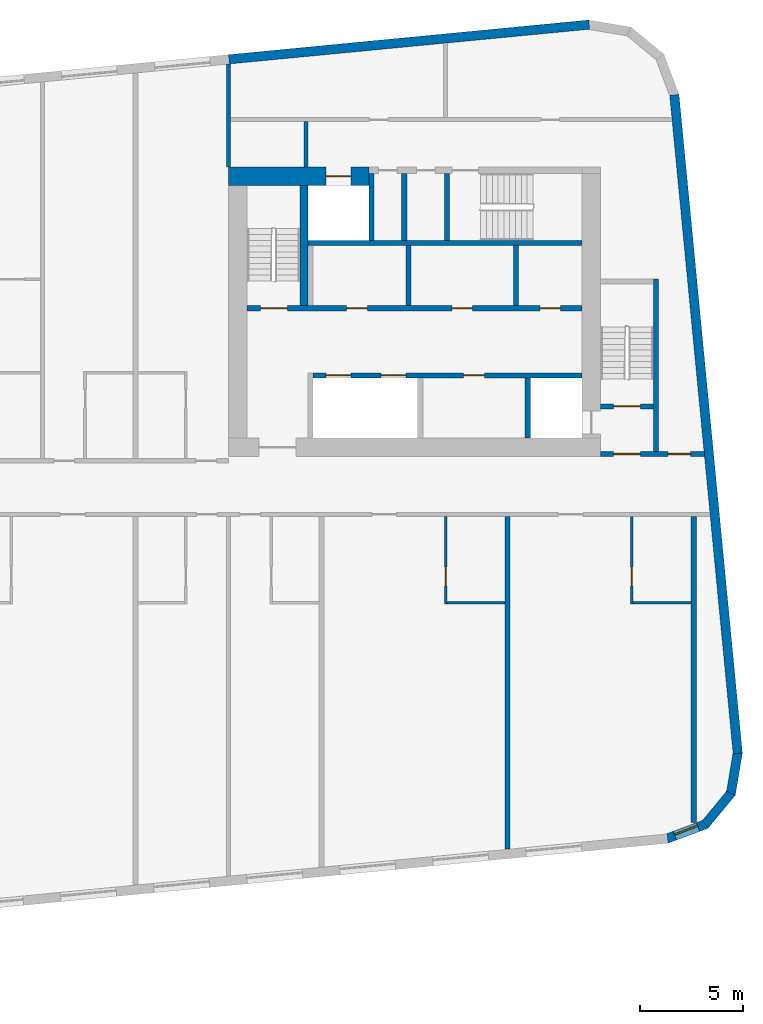
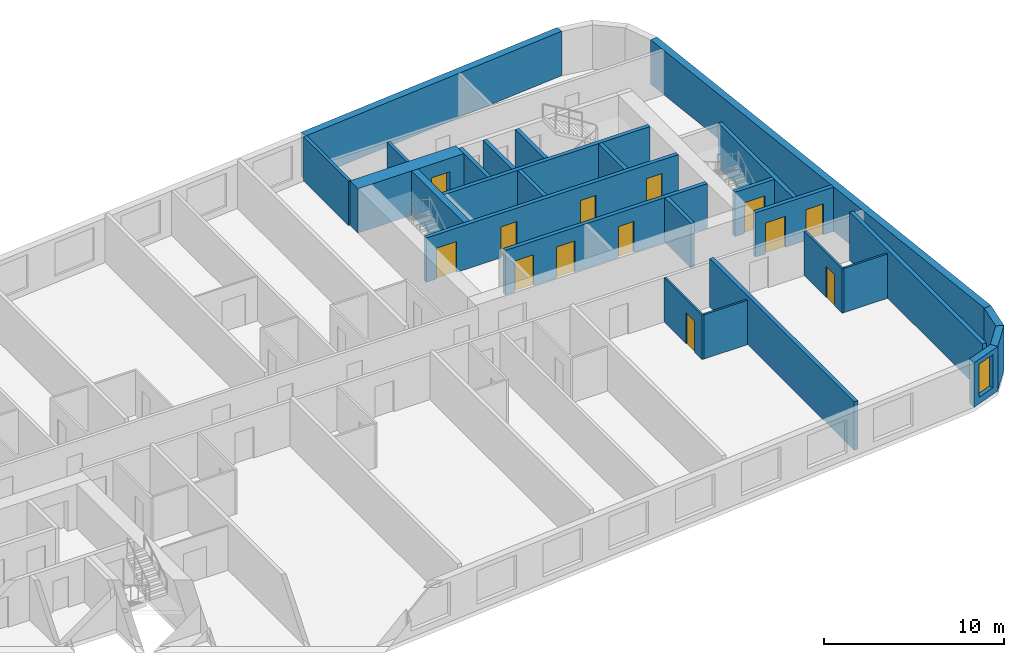
# One storey, part 6 of 11: 27 walls, 13 doors, 1 window, 14 openings.
"""IFC4 building model written with IfcOpenShell, lengths in metres."""

from ifc_helpers import new_model, si_unit, direction, frame, frame_2d, origin, place, context, subcontext, project, spatial, polyline, rectangle, outline, extrude, material, layer, layer_set, type_object, element, fill, save


model = new_model("IFC4")

# Units and contexts
model_context = context("Model", 3, precision=1e-05, world=origin(), true_north=direction((0.0, 1.0)))
body_context = subcontext(model_context, "Body", "Model", "MODEL_VIEW")
ifc_project = project(units=[si_unit("LENGTHUNIT", "METRE"), si_unit("AREAUNIT", "SQUARE_METRE"), si_unit("VOLUMEUNIT", "CUBIC_METRE"), si_unit("PLANEANGLEUNIT", "RADIAN"), si_unit("MASSUNIT", "GRAM", prefix="KILO")], contexts=[model_context])

# Site, building, storey
site_placement = place(None, origin())
site = spatial("IfcSite", under=ifc_project, at=site_placement, CompositionType="ELEMENT")
building_placement = place(site_placement, origin())
building = spatial("IfcBuilding", under=site, at=building_placement, Name="Kajstack Hotel Tower", CompositionType="ELEMENT")
storey_placement = place(building_placement, frame((0.0, 0.0, 291.60009765625)))
storey = spatial("IfcBuildingStorey", under=building, at=storey_placement, Name="L73", CompositionType="ELEMENT", Elevation=291.60009765625)

# Wall, opening, door
ifc_material_1 = material(Name="Concrete C60/75", Category="concrete")
ifc_layer_1 = layer(ifc_material_1, 0.89990234375)
ifc_layer_set_1 = layer_set([ifc_layer_1], Name="Core wall 900")
wall_type_1 = type_object("IfcWallType", Name="Core wall 900", PredefinedType="SHEAR", material=ifc_layer_set_1)
wall_1_placement = place(storey_placement, frame((13.5, 15.050048828125, 0.0), z_axis=(0.0, 0.0, 1.0), x_axis=(1.0, 0.0, 0.0)))
wall_1 = element("IfcWall", 1, at=wall_1_placement, inside=storey, type_object=wall_type_1, Name="Core wall E RS", PredefinedType="SHEAR", context=body_context, shape_type="SweptSolid", body=[
    extrude(rectangle(XDim=6.800048828125, YDim=0.89990234375, at=frame_2d((3.39990234375, 0.0))), origin(), (0.0, 0.0, 1.0), 3.02001953125),
])
opening_1_placement = place(wall_1_placement, frame((4.72509765625, 0.0, 0.0)))
opening_1 = element("IfcOpeningElement", 2, at=opening_1_placement, cuts=wall_1, Name="Opening LD-SV2", PredefinedType="OPENING", context=body_context, shape_type="SweptSolid", body=[
    extrude(rectangle(XDim=1.199951171875, YDim=2.10009765625, at=frame_2d((0.60009765625, 1.050048828125))), frame((0.0, 0.4599609375, 0.0), z_axis=(0.0, -1.0, 0.0), x_axis=(1.0, 0.0, 0.0)), (0.0, 0.0, 1.0), 0.919921875),
])
ifc_material_2 = material(Name="Stainless steel", Category="steel")
door_type_1 = type_object("IfcDoorType", Name="Lift landing door 1200", OperationType="SLIDING_TO_LEFT", PredefinedType="DOOR", material=ifc_material_2)
door_1_placement = place(opening_1_placement, origin())
door_1 = element("IfcDoor", 3, at=door_1_placement, inside=storey, type_object=door_type_1, Name="Landing door SV2", OperationType="SLIDING_TO_LEFT", OverallHeight=2.10009765625, OverallWidth=1.199951171875, PredefinedType="DOOR", context=body_context, shape_type="SweptSolid", body=[
    extrude(rectangle(XDim=1.199951171875, YDim=2.10009765625, at=frame_2d((0.60009765625, 1.050048828125))), frame((0.0, 0.02490234375, 0.0), z_axis=(0.0, -1.0, 0.0), x_axis=(1.0, 0.0, 0.0)), (0.0, 0.0, 1.0), 0.050048828125),
])
fill(opening_1, door_1)

# Walls
ifc_material_3 = material(Name="Twin-frame gypsum board on steel studs, mineral wool", Category="steel")
ifc_layer_2 = layer(ifc_material_3, 0.199951171875)
ifc_layer_set_2 = layer_set([ifc_layer_2], Name="Demising wall 200")
wall_type_2 = type_object("IfcWallType", Name="Demising wall 200", PredefinedType="PARTITIONING", material=ifc_layer_set_2)
wall_2_placement = place(storey_placement, frame((13.5, 15.5, 0.0), z_axis=(0.0, 0.0, 1.0), x_axis=(0.0, 1.0, 0.0)))
element("IfcWall", 4, at=wall_2_placement, inside=storey, type_object=wall_type_2, Name="G-wall-L73-001", PredefinedType="PARTITIONING", context=body_context, shape_type="SweptSolid", body=[
    extrude(rectangle(XDim=4.985107421875, YDim=0.199951171875, at=frame_2d((2.49267578125, 0.0))), origin(), (0.0, 0.0, 1.0), 3.02001953125),
])
ifc_material_4 = material(Name="Concrete C40/50", Category="concrete")
ifc_layer_3 = layer(ifc_material_4, 0.449951171875)
ifc_layer_set_3 = layer_set([ifc_layer_3], Name="EW-CORE")
wall_type_3 = type_object("IfcWallType", Name="EW-CORE", PredefinedType="SOLIDWALL", material=ifc_layer_set_3)
wall_3_placement = place(storey_placement, frame((30.94580078125, 22.390625, 0.0), z_axis=(0.0, 0.0, 1.0), x_axis=(-0.995396397117, -0.095843688398, 0.0)))
element("IfcWall", 5, at=wall_3_placement, inside=storey, type_object=wall_type_3, Name="E-wall-L73-12-00", PredefinedType="SOLIDWALL", context=body_context, shape_type="SweptSolid", body=[
    extrude(rectangle(XDim=17.5048828125, YDim=0.449951171875, at=frame_2d((8.75244140625, 0.0))), origin(), (0.0, 0.0, 1.0), 3.02001953125),
])

# Wall, opening, window
ifc_material_5 = material(Name="Terracotta-faced brick masonry", Category="masonry")
ifc_layer_4 = layer(ifc_material_5, 0.449951171875)
ifc_layer_set_4 = layer_set([ifc_layer_4], Name="EW-TERRA")
wall_type_4 = type_object("IfcWallType", Name="EW-TERRA", PredefinedType="SOLIDWALL", material=ifc_layer_set_4)
wall_4_placement = place(storey_placement, frame((34.67919921875, -16.990478515625, 0.0), z_axis=(0.0, 0.0, 1.0), x_axis=(0.936677599948, 0.350192909346, 0.0)))
wall_4 = element("IfcWall", 6, at=wall_4_placement, inside=storey, type_object=wall_type_4, Name="E-wall-L73-05-00", PredefinedType="SOLIDWALL", context=body_context, shape_type="SweptSolid", body=[
    extrude(outline(polyline([(0.0, -0.22509765625), (2.070556640625, -0.22509765625), (1.949951171875, 0.22509765625), (0.12060546875, 0.22509765625), (0.0, -0.22509765625)])), origin(), (0.0, 0.0, 1.0), 3.02001953125),
])
opening_2_placement = place(wall_4_placement, frame((0.435302734375, 0.0, 0.449951171875)))
opening_2 = element("IfcOpeningElement", 7, at=opening_2_placement, cuts=wall_4, Name="Opening W3", PredefinedType="OPENING", context=body_context, shape_type="SweptSolid", body=[
    extrude(rectangle(XDim=1.199951171875, YDim=2.25, at=frame_2d((0.60009765625, 1.125))), frame((0.0, 0.23486328125, 0.0), z_axis=(0.0, -1.0, 0.0), x_axis=(1.0, 0.0, 0.0)), (0.0, 0.0, 1.0), 0.469970703125),
])
ifc_material_6 = material(Name="Timber-aluminium window, triple glazed", Category="wood")
window_type = type_object("IfcWindowType", Name="WG3", PartitioningType="SINGLE_PANEL", PredefinedType="WINDOW", material=ifc_material_6)
window_placement = place(opening_2_placement, origin())
window = element("IfcWindow", 8, at=window_placement, inside=storey, type_object=window_type, Name="Window W3 L73-05", OverallHeight=2.25, OverallWidth=1.199951171875, PartitioningType="SINGLE_PANEL", PredefinedType="WINDOW", context=body_context, shape_type="SweptSolid", body=[
    extrude(rectangle(XDim=1.199951171875, YDim=2.25, at=frame_2d((0.60009765625, 1.125))), frame((0.0, 0.090087890625, 0.0), z_axis=(0.0, -1.0, 0.0), x_axis=(1.0, 0.0, 0.0)), (0.0, 0.0, 1.0), 0.06005859375),
])
fill(opening_2, window)

# Walls
wall_5_placement = place(storey_placement, frame((36.52392578125, -16.3330078125, 0.0), z_axis=(0.0, 0.0, 1.0), x_axis=(0.636046112757, 0.771651049663, 0.0)))
element("IfcWall", 9, at=wall_5_placement, inside=storey, type_object=wall_type_4, Name="E-wall-L73-06-00", PredefinedType="SOLIDWALL", context=body_context, shape_type="SweptSolid", body=[
    extrude(outline(polyline([(0.0, -0.224853515625), (2.070556640625, -0.22509765625), (1.949951171875, 0.22509765625), (0.12060546875, 0.22509765625), (0.0, -0.224853515625)])), origin(), (0.0, 0.0, 1.0), 3.02001953125),
])
wall_6_placement = place(storey_placement, frame((37.79248046875, -14.84130859375, 0.0), z_axis=(0.0, 0.0, 1.0), x_axis=(0.165068144653, 0.986282164302, 0.0)))
element("IfcWall", 10, at=wall_6_placement, inside=storey, type_object=wall_type_4, Name="E-wall-L73-07-00", PredefinedType="SOLIDWALL", context=body_context, shape_type="SweptSolid", body=[
    extrude(outline(polyline([(0.0, -0.22509765625), (2.070556640625, -0.22509765625), (1.949951171875, 0.224853515625), (0.12060546875, 0.224853515625), (0.0, -0.22509765625)])), origin(), (0.0, 0.0, 1.0), 3.02001953125),
])
wall_7_placement = place(storey_placement, frame((38.13232421875, -12.85791015625, 0.0), z_axis=(0.0, 0.0, 1.0), x_axis=(-0.095847749461, 0.995396006082, 0.0)))
element("IfcWall", 11, at=wall_7_placement, inside=storey, type_object=wall_type_4, Name="E-wall-L73-08-00", PredefinedType="SOLIDWALL", context=body_context, shape_type="SweptSolid", body=[
    extrude(rectangle(XDim=32.0, YDim=0.449951171875, at=frame_2d((16.0, 0.0))), origin(), (0.0, 0.0, 1.0), 3.02001953125),
])

# Wall, opening, door
ifc_material_7 = material(Name="Gypsum board and tiled backer on steel studs", Category="steel")
ifc_layer_5 = layer(ifc_material_7, 0.125)
ifc_layer_set_5 = layer_set([ifc_layer_5], Name="En-suite wall 125")
wall_type_5 = type_object("IfcWallType", Name="En-suite wall 125", PredefinedType="PARTITIONING", material=ifc_layer_set_5)
wall_8_placement = place(storey_placement, frame((24.011962890625, -5.625, 0.0), z_axis=(0.0, 0.0, 1.0), x_axis=(0.0, 1.0, 0.0)))
wall_8 = element("IfcWall", 12, at=wall_8_placement, inside=storey, type_object=wall_type_5, Name="G-wall-L73-041", PredefinedType="PARTITIONING", context=body_context, shape_type="SweptSolid", body=[
    extrude(rectangle(XDim=4.22509765625, YDim=0.125, at=frame_2d((2.112548828125, 0.0))), origin(), (0.0, 0.0, 1.0), 3.02001953125),
])
opening_3_placement = place(wall_8_placement, frame((0.875, 0.0, 0.0)))
opening_3 = element("IfcOpeningElement", 13, at=opening_3_placement, cuts=wall_8, Name="Opening 73034", PredefinedType="OPENING", context=body_context, shape_type="SweptSolid", body=[
    extrude(rectangle(XDim=0.89990234375, YDim=2.10009765625, at=frame_2d((0.449951171875, 1.050048828125))), frame((0.0, 0.072509765625, 0.0), z_axis=(0.0, -1.0, 0.0), x_axis=(1.0, 0.0, 0.0)), (0.0, 0.0, 1.0), 0.14501953125),
])
ifc_material_8 = material(Name="Painted timber door leaf", Category="wood")
door_type_2 = type_object("IfcDoorType", Name="Room door 900", OperationType="SINGLE_SWING_LEFT", PredefinedType="DOOR", material=ifc_material_8)
door_2_placement = place(opening_3_placement, origin())
door_2 = element("IfcDoor", 14, at=door_2_placement, inside=storey, type_object=door_type_2, Name="G-door-L73-34", OperationType="SINGLE_SWING_LEFT", OverallHeight=2.10009765625, OverallWidth=0.89990234375, PredefinedType="DOOR", context=body_context, shape_type="SweptSolid", body=[
    extrude(rectangle(XDim=0.89990234375, YDim=2.10009765625, at=frame_2d((0.449951171875, 1.050048828125))), frame((0.0, 0.02490234375, 0.0), z_axis=(0.0, -1.0, 0.0), x_axis=(1.0, 0.0, 0.0)), (0.0, 0.0, 1.0), 0.050048828125),
])
fill(opening_3, door_2)

# Wall
wall_9_placement = place(storey_placement, frame((24.074951171875, -5.56201171875, 0.0), z_axis=(0.0, 0.0, 1.0), x_axis=(1.0, 0.0, 0.0)))
element("IfcWall", 15, at=wall_9_placement, inside=storey, type_object=wall_type_5, Name="G-wall-L73-042", PredefinedType="PARTITIONING", context=body_context, shape_type="SweptSolid", body=[
    extrude(rectangle(XDim=2.800048828125, YDim=0.125, at=frame_2d((1.39990234375, 0.0))), origin(), (0.0, 0.0, 1.0), 3.02001953125),
])

# Wall, opening, door
wall_10_placement = place(storey_placement, frame((33.012939453125, -5.625, 0.0), z_axis=(0.0, 0.0, 1.0), x_axis=(0.0, 1.0, 0.0)))
wall_10 = element("IfcWall", 16, at=wall_10_placement, inside=storey, type_object=wall_type_5, Name="G-wall-L73-043", PredefinedType="PARTITIONING", context=body_context, shape_type="SweptSolid", body=[
    extrude(rectangle(XDim=4.22509765625, YDim=0.125, at=frame_2d((2.112548828125, 0.0))), origin(), (0.0, 0.0, 1.0), 3.02001953125),
])
opening_4_placement = place(wall_10_placement, frame((0.875, 0.0, 0.0)))
opening_4 = element("IfcOpeningElement", 17, at=opening_4_placement, cuts=wall_10, Name="Opening 73036", PredefinedType="OPENING", context=body_context, shape_type="SweptSolid", body=[
    extrude(rectangle(XDim=0.89990234375, YDim=2.10009765625, at=frame_2d((0.449951171875, 1.050048828125))), frame((0.0, 0.072509765625, 0.0), z_axis=(0.0, -1.0, 0.0), x_axis=(1.0, 0.0, 0.0)), (0.0, 0.0, 1.0), 0.14501953125),
])
door_3_placement = place(opening_4_placement, origin())
door_3 = element("IfcDoor", 18, at=door_3_placement, inside=storey, type_object=door_type_2, Name="G-door-L73-36", OperationType="SINGLE_SWING_LEFT", OverallHeight=2.10009765625, OverallWidth=0.89990234375, PredefinedType="DOOR", context=body_context, shape_type="SweptSolid", body=[
    extrude(rectangle(XDim=0.89990234375, YDim=2.10009765625, at=frame_2d((0.449951171875, 1.050048828125))), frame((0.0, 0.02490234375, 0.0), z_axis=(0.0, -1.0, 0.0), x_axis=(1.0, 0.0, 0.0)), (0.0, 0.0, 1.0), 0.050048828125),
])
fill(opening_4, door_3)

# Walls
wall_11_placement = place(storey_placement, frame((33.074951171875, -5.56201171875, 0.0), z_axis=(0.0, 0.0, 1.0), x_axis=(1.0, 0.0, 0.0)))
element("IfcWall", 19, at=wall_11_placement, inside=storey, type_object=wall_type_5, Name="G-wall-L73-044", PredefinedType="PARTITIONING", context=body_context, shape_type="SweptSolid", body=[
    extrude(rectangle(XDim=2.800048828125, YDim=0.125, at=frame_2d((1.39990234375, 0.0))), origin(), (0.0, 0.0, 1.0), 3.02001953125),
])
ifc_layer_6 = layer(ifc_material_4, 0.25)
ifc_layer_set_6 = layer_set([ifc_layer_6], Name="RC cross wall 250 C40/50")
wall_type_6 = type_object("IfcWallType", Name="RC cross wall 250 C40/50", PredefinedType="SHEAR", material=ifc_layer_set_6)
wall_12_placement = place(storey_placement, frame((27.0, -17.47412109375, 0.0), z_axis=(0.0, 0.0, 1.0), x_axis=(0.0, 1.0, 0.0)))
element("IfcWall", 20, at=wall_12_placement, inside=storey, type_object=wall_type_6, Name="S-wall-L73-11", PredefinedType="SHEAR", context=body_context, shape_type="SweptSolid", body=[
    extrude(rectangle(XDim=16.07421875, YDim=0.25, at=frame_2d((8.037109375, 0.0))), origin(), (0.0, 0.0, 1.0), 3.2998046875),
])
wall_13_placement = place(storey_placement, frame((36.0, -16.198974609375, 0.0), z_axis=(0.0, 0.0, 1.0), x_axis=(0.0, 1.0, 0.0)))
element("IfcWall", 21, at=wall_13_placement, inside=storey, type_object=wall_type_6, Name="S-wall-L73-12", PredefinedType="SHEAR", context=body_context, shape_type="SweptSolid", body=[
    extrude(rectangle(XDim=14.799072265625, YDim=0.25, at=frame_2d((7.3994140625, 0.0))), origin(), (0.0, 0.0, 1.0), 3.2998046875),
])
ifc_material_9 = material(Name="Concrete block masonry", Category="masonry")
ifc_layer_7 = layer(ifc_material_9, 0.25)
ifc_layer_set_7 = layer_set([ifc_layer_7], Name="Riser partition 250")
wall_type_7 = type_object("IfcWallType", Name="Riser partition 250", PredefinedType="PARTITIONING", material=ifc_layer_set_7)
for number, where, z_axis, x_axis, name in (
    (22, (27.39990234375, 8.800048828125, 0.0), (0.0, 0.0, 1.0), (0.0, 1.0, 0.0), "Partition E BF0"),
    (23, (22.199951171875, 8.800048828125, 0.0), (0.0, 0.0, 1.0), (0.0, 1.0, 0.0), "Partition E BF1"),
):
    element("IfcWall", number, at=place(storey_placement, frame(where, z_axis=z_axis, x_axis=x_axis)), inside=storey, type_object=wall_type_7, Name=name, PredefinedType="PARTITIONING", context=body_context, shape_type="SweptSolid", body=[
        extrude(rectangle(XDim=2.89990234375, YDim=0.25, at=frame_2d((1.449951171875, 0.0))), origin(), (0.0, 0.0, 1.0), 3.02001953125),
    ])
wall_14_placement = place(storey_placement, frame((22.0, 11.949951171875, 0.0), z_axis=(0.0, 0.0, 1.0), x_axis=(0.0, 1.0, 0.0)))
element("IfcWall", 24, at=wall_14_placement, inside=storey, type_object=wall_type_7, Name="Partition E SZ0", PredefinedType="PARTITIONING", context=body_context, shape_type="SweptSolid", body=[
    extrude(rectangle(XDim=3.25, YDim=0.25, at=frame_2d((1.625, 0.0))), origin(), (0.0, 0.0, 1.0), 3.02001953125),
])

# Wall, openings, doors
ifc_material_10 = material(Name="Gypsum board on steel studs, mineral wool", Category="steel")
ifc_layer_8 = layer(ifc_material_10, 0.199951171875)
ifc_layer_set_8 = layer_set([ifc_layer_8], Name="Service partition 200")
wall_type_8 = type_object("IfcWallType", Name="Service partition 200", PredefinedType="PARTITIONING", material=ifc_layer_set_8)
wall_15_placement = place(storey_placement, frame((31.5, 1.625, 0.0), z_axis=(0.0, 0.0, 1.0), x_axis=(1.0, 0.0, 0.0)))
wall_15 = element("IfcWall", 25, at=wall_15_placement, inside=storey, type_object=wall_type_8, Name="Partition E SN", PredefinedType="PARTITIONING", context=body_context, shape_type="SweptSolid", body=[
    extrude(rectangle(XDim=5.01171875, YDim=0.25, at=frame_2d((2.505859375, 0.0))), origin(), (0.0, 0.0, 1.0), 3.02001953125),
])
opening_5_placement = place(wall_15_placement, frame((0.625, 0.0, 0.0)))
opening_5 = element("IfcOpeningElement", 26, at=opening_5_placement, cuts=wall_15, Name="Opening 73E06", PredefinedType="OPENING", context=body_context, shape_type="SweptSolid", body=[
    extrude(rectangle(XDim=1.300048828125, YDim=2.10009765625, at=frame_2d((0.64990234375, 1.050048828125))), frame((0.0, 0.135009765625, 0.0), z_axis=(0.0, -1.0, 0.0), x_axis=(1.0, 0.0, 0.0)), (0.0, 0.0, 1.0), 0.27001953125),
])
opening_6_placement = place(wall_15_placement, frame((3.25, 0.0, 0.0)))
opening_6 = element("IfcOpeningElement", 27, at=opening_6_placement, cuts=wall_15, Name="Opening 73E08", PredefinedType="OPENING", context=body_context, shape_type="SweptSolid", body=[
    extrude(rectangle(XDim=1.10009765625, YDim=2.10009765625, at=frame_2d((0.550048828125, 1.050048828125))), frame((0.0, 0.135009765625, 0.0), z_axis=(0.0, -1.0, 0.0), x_axis=(1.0, 0.0, 0.0)), (0.0, 0.0, 1.0), 0.27001953125),
])
ifc_material_11 = material(Name="Steel leaf, fire-rated", Category="steel")
door_type_3 = type_object("IfcDoorType", Name="Fire lobby door 1300", OperationType="SINGLE_SWING_LEFT", PredefinedType="DOOR", material=ifc_material_11)
door_4_placement = place(opening_5_placement, origin())
door_4 = element("IfcDoor", 28, at=door_4_placement, inside=storey, type_object=door_type_3, Name="Door 73E06", OperationType="SINGLE_SWING_LEFT", OverallHeight=2.10009765625, OverallWidth=1.300048828125, PredefinedType="DOOR", context=body_context, shape_type="SweptSolid", body=[
    extrude(rectangle(XDim=1.300048828125, YDim=2.10009765625, at=frame_2d((0.64990234375, 1.050048828125))), frame((0.0, 0.02490234375, 0.0), z_axis=(0.0, -1.0, 0.0), x_axis=(1.0, 0.0, 0.0)), (0.0, 0.0, 1.0), 0.050048828125),
])
fill(opening_5, door_4)
ifc_material_12 = material(Name="Timber leaf, fire-rated", Category="wood")
door_type_4 = type_object("IfcDoorType", Name="Service corridor door 1100", OperationType="SINGLE_SWING_LEFT", PredefinedType="DOOR", material=ifc_material_12)
door_5_placement = place(opening_6_placement, origin())
door_5 = element("IfcDoor", 29, at=door_5_placement, inside=storey, type_object=door_type_4, Name="Door 73E08", OperationType="SINGLE_SWING_LEFT", OverallHeight=2.10009765625, OverallWidth=1.10009765625, PredefinedType="DOOR", context=body_context, shape_type="SweptSolid", body=[
    extrude(rectangle(XDim=1.10009765625, YDim=2.10009765625, at=frame_2d((0.550048828125, 1.050048828125))), frame((0.0, 0.02490234375, 0.0), z_axis=(0.0, -1.0, 0.0), x_axis=(1.0, 0.0, 0.0)), (0.0, 0.0, 1.0), 0.050048828125),
])
fill(opening_6, door_5)

# Wall
wall_16_placement = place(storey_placement, frame((17.25, 15.5, 0.0), z_axis=(0.0, 0.0, 1.0), x_axis=(0.0, 1.0, 0.0)))
element("IfcWall", 30, at=wall_16_placement, inside=storey, type_object=wall_type_8, Name="Partition E SCE", PredefinedType="PARTITIONING", context=body_context, shape_type="SweptSolid", body=[
    extrude(rectangle(XDim=2.199951171875, YDim=0.199951171875, at=frame_2d((1.10009765625, 0.0))), origin(), (0.0, 0.0, 1.0), 3.02001953125),
])

# Wall, openings, doors
ifc_material_13 = material(Name="Concrete C50/60", Category="concrete")
ifc_layer_9 = layer(ifc_material_13, 0.25)
ifc_layer_set_9 = layer_set([ifc_layer_9], Name="Shaft wall 250")
wall_type_9 = type_object("IfcWallType", Name="Shaft wall 250", PredefinedType="SHEAR", material=ifc_layer_set_9)
wall_17_placement = place(storey_placement, frame((17.60009765625, 5.425048828125, 0.0), z_axis=(0.0, 0.0, 1.0), x_axis=(1.0, 0.0, 0.0)))
wall_17 = element("IfcWall", 31, at=wall_17_placement, inside=storey, type_object=wall_type_9, Name="Core wall E FA", PredefinedType="SHEAR", context=body_context, shape_type="SweptSolid", body=[
    extrude(rectangle(XDim=13.0, YDim=0.25, at=frame_2d((6.5, 0.0))), origin(), (0.0, 0.0, 1.0), 3.02001953125),
])
opening_7_placement = place(wall_17_placement, frame((3.27490234375, 0.0, 0.0)))
opening_7 = element("IfcOpeningElement", 32, at=opening_7_placement, cuts=wall_17, Name="Opening LD-HR3", PredefinedType="OPENING", context=body_context, shape_type="SweptSolid", body=[
    extrude(rectangle(XDim=1.199951171875, YDim=2.10009765625, at=frame_2d((0.60009765625, 1.050048828125))), frame((0.0, 0.135009765625, 0.0), z_axis=(0.0, -1.0, 0.0), x_axis=(1.0, 0.0, 0.0)), (0.0, 0.0, 1.0), 0.27001953125),
])
opening_8_placement = place(wall_17_placement, frame((0.625, 0.0, 0.0)))
opening_8 = element("IfcOpeningElement", 33, at=opening_8_placement, cuts=wall_17, Name="Opening LD-HR4", PredefinedType="OPENING", context=body_context, shape_type="SweptSolid", body=[
    extrude(rectangle(XDim=1.199951171875, YDim=2.10009765625, at=frame_2d((0.60009765625, 1.050048828125))), frame((0.0, 0.135009765625, 0.0), z_axis=(0.0, -1.0, 0.0), x_axis=(1.0, 0.0, 0.0)), (0.0, 0.0, 1.0), 0.27001953125),
])
opening_9_placement = place(wall_17_placement, frame((7.27490234375, 0.0, 0.0)))
opening_9 = element("IfcOpeningElement", 34, at=opening_9_placement, cuts=wall_17, Name="Opening 73E16", PredefinedType="OPENING", context=body_context, shape_type="SweptSolid", body=[
    extrude(rectangle(XDim=1.0, YDim=2.10009765625, at=frame_2d((0.5, 1.050048828125))), frame((0.0, 0.135009765625, 0.0), z_axis=(0.0, -1.0, 0.0), x_axis=(1.0, 0.0, 0.0)), (0.0, 0.0, 1.0), 0.27001953125),
])
door_6_placement = place(opening_7_placement, origin())
door_6 = element("IfcDoor", 35, at=door_6_placement, inside=storey, type_object=door_type_1, Name="Landing door HR3", OperationType="SLIDING_TO_RIGHT", OverallHeight=2.10009765625, OverallWidth=1.199951171875, PredefinedType="DOOR", context=body_context, shape_type="SweptSolid", body=[
    extrude(rectangle(XDim=1.199951171875, YDim=2.10009765625, at=frame_2d((0.60009765625, 1.050048828125))), frame((0.0, 0.02490234375, 0.0), z_axis=(0.0, -1.0, 0.0), x_axis=(1.0, 0.0, 0.0)), (0.0, 0.0, 1.0), 0.050048828125),
])
fill(opening_7, door_6)
door_7_placement = place(opening_8_placement, origin())
door_7 = element("IfcDoor", 36, at=door_7_placement, inside=storey, type_object=door_type_1, Name="Landing door HR4", OperationType="SLIDING_TO_LEFT", OverallHeight=2.10009765625, OverallWidth=1.199951171875, PredefinedType="DOOR", context=body_context, shape_type="SweptSolid", body=[
    extrude(rectangle(XDim=1.199951171875, YDim=2.10009765625, at=frame_2d((0.60009765625, 1.050048828125))), frame((0.0, 0.02490234375, 0.0), z_axis=(0.0, -1.0, 0.0), x_axis=(1.0, 0.0, 0.0)), (0.0, 0.0, 1.0), 0.050048828125),
])
fill(opening_8, door_7)
door_type_5 = type_object("IfcDoorType", Name="Service room door 1000", OperationType="SINGLE_SWING_LEFT", PredefinedType="DOOR", material=ifc_material_12)
door_8_placement = place(opening_9_placement, origin())
door_8 = element("IfcDoor", 37, at=door_8_placement, inside=storey, type_object=door_type_5, Name="Door 73E16", OperationType="SINGLE_SWING_LEFT", OverallHeight=2.10009765625, OverallWidth=1.0, PredefinedType="DOOR", context=body_context, shape_type="SweptSolid", body=[
    extrude(rectangle(XDim=1.0, YDim=2.10009765625, at=frame_2d((0.5, 1.050048828125))), frame((0.0, 0.02490234375, 0.0), z_axis=(0.0, -1.0, 0.0), x_axis=(1.0, 0.0, 0.0)), (0.0, 0.0, 1.0), 0.050048828125),
])
fill(opening_9, door_8)

# Wall
wall_18_placement = place(storey_placement, frame((27.97509765625, 2.39990234375, 0.0), z_axis=(0.0, 0.0, 1.0), x_axis=(0.0, 1.0, 0.0)))
element("IfcWall", 38, at=wall_18_placement, inside=storey, type_object=wall_type_9, Name="Core wall E AP0", PredefinedType="SHEAR", context=body_context, shape_type="SweptSolid", body=[
    extrude(rectangle(XDim=2.900146484375, YDim=0.25, at=frame_2d((1.4501953125, 0.0))), origin(), (0.0, 0.0, 1.0), 3.02001953125),
])

# Wall, openings, doors
wall_19_placement = place(storey_placement, frame((14.39990234375, 8.675048828125, 0.0), z_axis=(0.0, 0.0, 1.0), x_axis=(1.0, 0.0, 0.0)))
wall_19 = element("IfcWall", 39, at=wall_19_placement, inside=storey, type_object=wall_type_9, Name="Core wall E FB", PredefinedType="SHEAR", context=body_context, shape_type="SweptSolid", body=[
    extrude(rectangle(XDim=16.2001953125, YDim=0.25, at=frame_2d((8.10009765625, 0.0))), origin(), (0.0, 0.0, 1.0), 3.02001953125),
])
opening_10_placement = place(wall_19_placement, frame((0.64990234375, 0.0, 0.0)))
opening_10 = element("IfcOpeningElement", 40, at=opening_10_placement, cuts=wall_19, Name="Opening 73E09", PredefinedType="OPENING", context=body_context, shape_type="SweptSolid", body=[
    extrude(rectangle(XDim=1.300048828125, YDim=2.10009765625, at=frame_2d((0.64990234375, 1.050048828125))), frame((0.0, 0.135009765625, 0.0), z_axis=(0.0, -1.0, 0.0), x_axis=(1.0, 0.0, 0.0)), (0.0, 0.0, 1.0), 0.27001953125),
])
opening_11_placement = place(wall_19_placement, frame((14.16259765625, 0.0, 0.0)))
opening_11 = element("IfcOpeningElement", 41, at=opening_11_placement, cuts=wall_19, Name="Opening 73E13", PredefinedType="OPENING", context=body_context, shape_type="SweptSolid", body=[
    extrude(rectangle(XDim=1.0, YDim=2.10009765625, at=frame_2d((0.5, 1.050048828125))), frame((0.0, 0.135009765625, 0.0), z_axis=(0.0, -1.0, 0.0), x_axis=(1.0, 0.0, 0.0)), (0.0, 0.0, 1.0), 0.27001953125),
])
opening_12_placement = place(wall_19_placement, frame((9.89990234375, 0.0, 0.0)))
opening_12 = element("IfcOpeningElement", 42, at=opening_12_placement, cuts=wall_19, Name="Opening 73E14", PredefinedType="OPENING", context=body_context, shape_type="SweptSolid", body=[
    extrude(rectangle(XDim=1.0, YDim=2.10009765625, at=frame_2d((0.5, 1.050048828125))), frame((0.0, 0.135009765625, 0.0), z_axis=(0.0, -1.0, 0.0), x_axis=(1.0, 0.0, 0.0)), (0.0, 0.0, 1.0), 0.27001953125),
])
opening_13_placement = place(wall_19_placement, frame((4.8125, 0.0, 0.0)))
opening_13 = element("IfcOpeningElement", 43, at=opening_13_placement, cuts=wall_19, Name="Opening 73E15", PredefinedType="OPENING", context=body_context, shape_type="SweptSolid", body=[
    extrude(rectangle(XDim=1.0, YDim=2.10009765625, at=frame_2d((0.5, 1.050048828125))), frame((0.0, 0.135009765625, 0.0), z_axis=(0.0, -1.0, 0.0), x_axis=(1.0, 0.0, 0.0)), (0.0, 0.0, 1.0), 0.27001953125),
])
door_9_placement = place(opening_11_placement, origin())
door_9 = element("IfcDoor", 44, at=door_9_placement, inside=storey, type_object=door_type_5, Name="Door 73E13", OperationType="SINGLE_SWING_LEFT", OverallHeight=2.10009765625, OverallWidth=1.0, PredefinedType="DOOR", context=body_context, shape_type="SweptSolid", body=[
    extrude(rectangle(XDim=1.0, YDim=2.10009765625, at=frame_2d((0.5, 1.050048828125))), frame((0.0, 0.02490234375, 0.0), z_axis=(0.0, -1.0, 0.0), x_axis=(1.0, 0.0, 0.0)), (0.0, 0.0, 1.0), 0.050048828125),
])
fill(opening_11, door_9)
door_10_placement = place(opening_12_placement, origin())
door_10 = element("IfcDoor", 45, at=door_10_placement, inside=storey, type_object=door_type_5, Name="Door 73E14", OperationType="SINGLE_SWING_LEFT", OverallHeight=2.10009765625, OverallWidth=1.0, PredefinedType="DOOR", context=body_context, shape_type="SweptSolid", body=[
    extrude(rectangle(XDim=1.0, YDim=2.10009765625, at=frame_2d((0.5, 1.050048828125))), frame((0.0, 0.02490234375, 0.0), z_axis=(0.0, -1.0, 0.0), x_axis=(1.0, 0.0, 0.0)), (0.0, 0.0, 1.0), 0.050048828125),
])
fill(opening_12, door_10)
door_11_placement = place(opening_13_placement, origin())
door_11 = element("IfcDoor", 46, at=door_11_placement, inside=storey, type_object=door_type_5, Name="Door 73E15", OperationType="SINGLE_SWING_LEFT", OverallHeight=2.10009765625, OverallWidth=1.0, PredefinedType="DOOR", context=body_context, shape_type="SweptSolid", body=[
    extrude(rectangle(XDim=1.0, YDim=2.10009765625, at=frame_2d((0.5, 1.050048828125))), frame((0.0, 0.02490234375, 0.0), z_axis=(0.0, -1.0, 0.0), x_axis=(1.0, 0.0, 0.0)), (0.0, 0.0, 1.0), 0.050048828125),
])
fill(opening_13, door_11)
door_type_6 = type_object("IfcDoorType", Name="Stair door 1300", OperationType="SINGLE_SWING_LEFT", PredefinedType="DOOR", material=ifc_material_11)
door_12_placement = place(opening_10_placement, origin())
door_12 = element("IfcDoor", 47, at=door_12_placement, inside=storey, type_object=door_type_6, Name="Door 73E09", OperationType="SINGLE_SWING_LEFT", OverallHeight=2.10009765625, OverallWidth=1.300048828125, PredefinedType="DOOR", context=body_context, shape_type="SweptSolid", body=[
    extrude(rectangle(XDim=1.300048828125, YDim=2.10009765625, at=frame_2d((0.64990234375, 1.050048828125))), frame((0.0, 0.02490234375, 0.0), z_axis=(0.0, -1.0, 0.0), x_axis=(1.0, 0.0, 0.0)), (0.0, 0.0, 1.0), 0.050048828125),
])
fill(opening_10, door_12)

# Walls
wall_20_placement = place(storey_placement, frame((17.35009765625, 11.824951171875, 0.0), z_axis=(0.0, 0.0, 1.0), x_axis=(1.0, 0.0, 0.0)))
element("IfcWall", 48, at=wall_20_placement, inside=storey, type_object=wall_type_9, Name="Core wall E RB", PredefinedType="SHEAR", context=body_context, shape_type="SweptSolid", body=[
    extrude(rectangle(XDim=13.25, YDim=0.25, at=frame_2d((6.625, 0.0))), origin(), (0.0, 0.0, 1.0), 3.02001953125),
])
wall_21_placement = place(storey_placement, frame((20.425048828125, 11.949951171875, 0.0), z_axis=(0.0, 0.0, 1.0), x_axis=(0.0, 1.0, 0.0)))
element("IfcWall", 49, at=wall_21_placement, inside=storey, type_object=wall_type_9, Name="Core wall E SVW", PredefinedType="SHEAR", context=body_context, shape_type="SweptSolid", body=[
    extrude(rectangle(XDim=3.25, YDim=0.25, at=frame_2d((1.625, 0.0))), origin(), (0.0, 0.0, 1.0), 3.02001953125),
])

# Wall, opening, door
ifc_layer_10 = layer(ifc_material_4, 0.25)
ifc_layer_set_10 = layer_set([ifc_layer_10], Name="Stair enclosure wall 250")
wall_type_10 = type_object("IfcWallType", Name="Stair enclosure wall 250", PredefinedType="SHEAR", material=ifc_layer_set_10)
wall_22_placement = place(storey_placement, frame((31.5, 3.925048828125, 0.0), z_axis=(0.0, 0.0, 1.0), x_axis=(1.0, 0.0, 0.0)))
wall_22 = element("IfcWall", 50, at=wall_22_placement, inside=storey, type_object=wall_type_10, Name="Core wall E W1N", PredefinedType="SHEAR", context=body_context, shape_type="SweptSolid", body=[
    extrude(rectangle(XDim=2.550048828125, YDim=0.25, at=frame_2d((1.27490234375, 0.0))), origin(), (0.0, 0.0, 1.0), 3.02001953125),
])
opening_14_placement = place(wall_22_placement, frame((0.625, 0.0, 0.0)))
opening_14 = element("IfcOpeningElement", 51, at=opening_14_placement, cuts=wall_22, Name="Opening 73E07", PredefinedType="OPENING", context=body_context, shape_type="SweptSolid", body=[
    extrude(rectangle(XDim=1.300048828125, YDim=2.10009765625, at=frame_2d((0.64990234375, 1.050048828125))), frame((0.0, 0.135009765625, 0.0), z_axis=(0.0, -1.0, 0.0), x_axis=(1.0, 0.0, 0.0)), (0.0, 0.0, 1.0), 0.27001953125),
])
door_13_placement = place(opening_14_placement, origin())
door_13 = element("IfcDoor", 52, at=door_13_placement, inside=storey, type_object=door_type_6, Name="Door 73E07", OperationType="SINGLE_SWING_LEFT", OverallHeight=2.10009765625, OverallWidth=1.300048828125, PredefinedType="DOOR", context=body_context, shape_type="SweptSolid", body=[
    extrude(rectangle(XDim=1.300048828125, YDim=2.10009765625, at=frame_2d((0.64990234375, 1.050048828125))), frame((0.0, 0.02490234375, 0.0), z_axis=(0.0, -1.0, 0.0), x_axis=(1.0, 0.0, 0.0)), (0.0, 0.0, 1.0), 0.050048828125),
])
fill(opening_14, door_13)

# Walls
wall_23_placement = place(storey_placement, frame((34.175048828125, 1.75, 0.0), z_axis=(0.0, 0.0, 1.0), x_axis=(0.0, 1.0, 0.0)))
element("IfcWall", 53, at=wall_23_placement, inside=storey, type_object=wall_type_10, Name="Core wall E W1W", PredefinedType="SHEAR", context=body_context, shape_type="SweptSolid", body=[
    extrude(rectangle(XDim=8.35009765625, YDim=0.25, at=frame_2d((4.175048828125, 0.0))), origin(), (0.0, 0.0, 1.0), 3.02001953125),
])
ifc_layer_11 = layer(ifc_material_13, 0.35009765625)
ifc_layer_set_11 = layer_set([ifc_layer_11], Name="Stair enclosure wall 350")
wall_type_11 = type_object("IfcWallType", Name="Stair enclosure wall 350", PredefinedType="SHEAR", material=ifc_layer_set_11)
wall_24_placement = place(storey_placement, frame((24.074951171875, 11.949951171875, 0.0), z_axis=(0.0, 0.0, 1.0), x_axis=(0.0, 1.0, 0.0)))
element("IfcWall", 54, at=wall_24_placement, inside=storey, type_object=wall_type_11, Name="Core wall E W3E", PredefinedType="SHEAR", context=body_context, shape_type="SweptSolid", body=[
    extrude(rectangle(XDim=3.25, YDim=0.25, at=frame_2d((1.625, 0.0))), origin(), (0.0, 0.0, 1.0), 3.02001953125),
])
ifc_layer_12 = layer(ifc_material_13, 0.39990234375)
ifc_layer_set_12 = layer_set([ifc_layer_12], Name="Stair wall 400")
wall_type_12 = type_object("IfcWallType", Name="Stair wall 400", PredefinedType="SHEAR", material=ifc_layer_set_12)
wall_25_placement = place(storey_placement, frame((17.14990234375, 8.800048828125, 0.0), z_axis=(0.0, 0.0, 1.0), x_axis=(0.0, 1.0, 0.0)))
element("IfcWall", 55, at=wall_25_placement, inside=storey, type_object=wall_type_12, Name="Core wall E WW2", PredefinedType="SHEAR", context=body_context, shape_type="SweptSolid", body=[
    extrude(rectangle(XDim=5.800048828125, YDim=0.39990234375, at=frame_2d((2.89990234375, 0.0))), origin(), (0.0, 0.0, 1.0), 3.02001953125),
])

save(model, "model.ifc")
